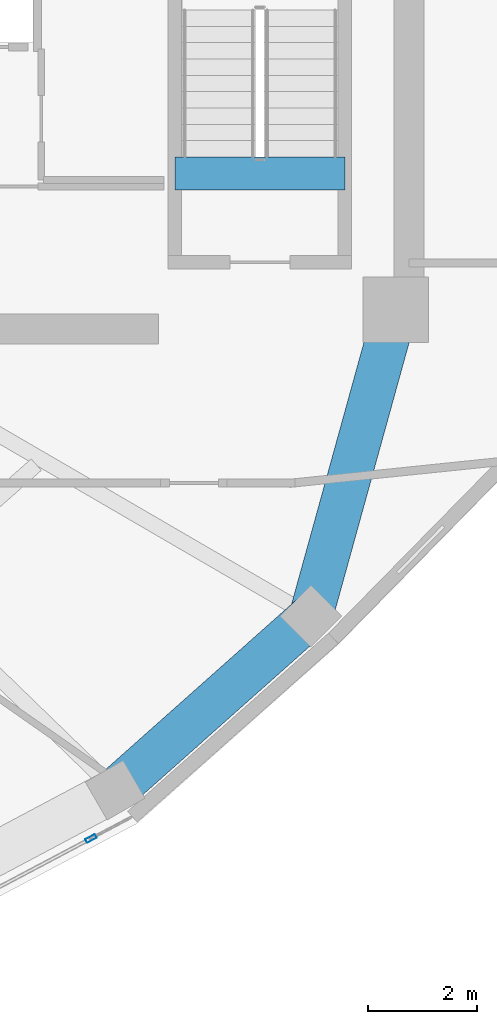
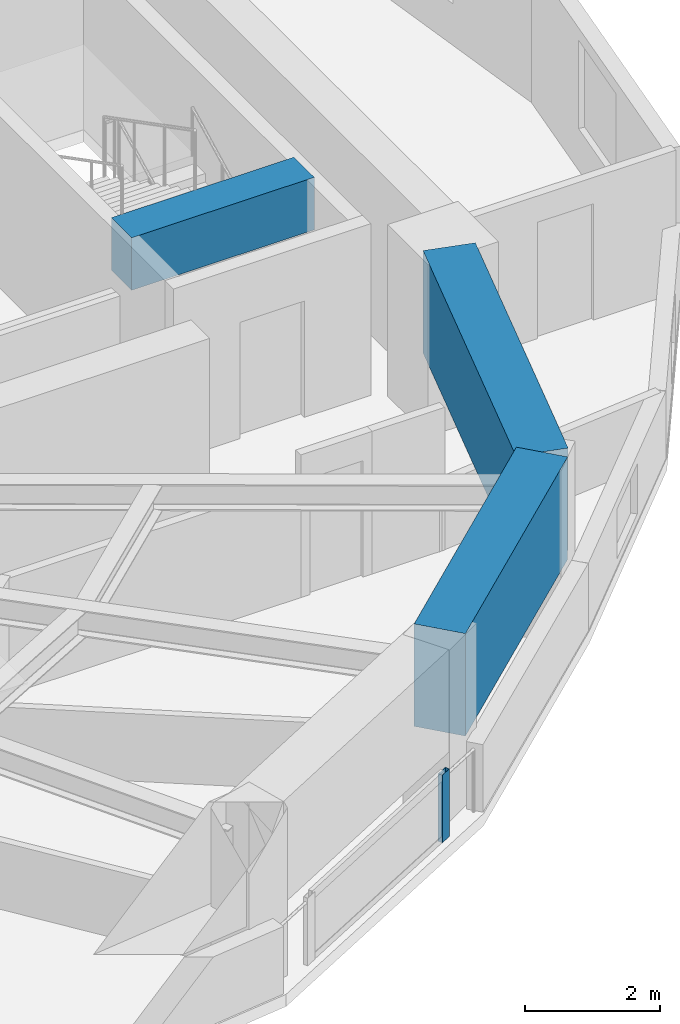
# One storey, part 6 of 17: 3 beams, 1 member, 1 element without a shape of its own.
"""IFC4 building model written with IfcOpenShell, lengths in metres."""

from ifc_helpers import new_model, si_unit, direction, frame, origin, origin_2d, place, context, subcontext, project, spatial, rectangle, hollow_rectangle, extrude, material, layer, layer_set, material_profile, profile_set, type_object, element, aggregate, save


model = new_model("IFC4")

# Units and contexts
model_context = context("Model", 3, precision=1e-05, world=origin(), true_north=direction((0.0, 1.0)))
body_context = subcontext(model_context, "Body", "Model", "MODEL_VIEW")
ifc_project = project(units=[si_unit("LENGTHUNIT", "METRE"), si_unit("AREAUNIT", "SQUARE_METRE"), si_unit("VOLUMEUNIT", "CUBIC_METRE"), si_unit("PLANEANGLEUNIT", "RADIAN"), si_unit("MASSUNIT", "GRAM", prefix="KILO")], contexts=[model_context])

# Site, building, storey
site_placement = place(None, origin())
site = spatial("IfcSite", under=ifc_project, at=site_placement, CompositionType="ELEMENT")
building_placement = place(site_placement, origin())
building = spatial("IfcBuilding", under=site, at=building_placement, Name="Solvane Sanctuary Tower", CompositionType="ELEMENT")
storey_placement = place(building_placement, frame((0.0, 0.0, 235.699951171875)))
storey = spatial("IfcBuildingStorey", under=building, at=storey_placement, Name="L72", CompositionType="ELEMENT", Elevation=235.699951171875)

# Beams
ifc_material_1 = material(Name="Concrete C70/85", Category="concrete")
ifc_material_profile_1 = material_profile(ifc_material_1, rectangle(XDim=0.60009765625, YDim=0.949951171875, at=origin_2d()), Name="RC600X950")
ifc_profile_set_1 = profile_set([ifc_material_profile_1], Name="Concrete C70/85")
beam_type_1 = type_object("IfcBeamType", Name="Beam B-COUPLE RC600X950", PredefinedType="LINTEL", material=ifc_profile_set_1)
beam_1_placement = place(storey_placement, frame((44.64990234375, 19.399169921875, 2.625), z_axis=(1.0, 0.0, 0.0), x_axis=(0.0, 1.0, 0.0)))
element("IfcBeam", 1, at=beam_1_placement, inside=storey, type_object=beam_type_1, Name="L72 ST-2 Stair Floor Landing Trimmer", PredefinedType="LINTEL", context=body_context, shape_type="SweptSolid", body=[
    extrude(rectangle(XDim=0.60009765625, YDim=0.949951171875, at=origin_2d()), origin(), (0.0, 0.0, 1.0), 3.1201171875),
])
ifc_material_profile_2 = material_profile(ifc_material_1, rectangle(XDim=0.800048828125, YDim=1.85009765625, at=origin_2d()), Name="RC800X1850")
ifc_profile_set_2 = profile_set([ifc_material_profile_2], Name="Concrete C70/85")
beam_type_2 = type_object("IfcBeamType", Name="Beam B-XFER-BLK RC800X1850", PredefinedType="BEAM", material=ifc_profile_set_2)
beam_2_placement = place(storey_placement, frame((43.55517578125, 8.086181640625, 2.175048828125), z_axis=(0.74721302735, 0.664584600904, 0.0), x_axis=(-0.664584600904, 0.74721302735, 0.0)))
element("IfcBeam", 2, at=beam_2_placement, inside=storey, type_object=beam_type_2, Name="L72 Perimeter Step Transfer Ring NTC13-NTC14", PredefinedType="BEAM", context=body_context, shape_type="SweptSolid", body=[
    extrude(rectangle(XDim=0.800048828125, YDim=1.85009765625, at=origin_2d()), origin(), (0.0, 0.0, 1.0), 4.80419921875),
])
beam_3_placement = place(storey_placement, frame((47.14501953125, 11.279052734375, 2.175048828125), z_axis=(0.266626617927, 0.963799899675, 0.0), x_axis=(-0.963799899675, 0.266626617927, 0.0)))
element("IfcBeam", 3, at=beam_3_placement, inside=storey, type_object=beam_type_2, Name="L72 Perimeter Step Transfer Ring NTC14-CE2", PredefinedType="BEAM", context=body_context, shape_type="SweptSolid", body=[
    extrude(rectangle(XDim=0.800048828125, YDim=1.85009765625, at=origin_2d()), origin(), (0.0, 0.0, 1.0), 5.471923828125),
])

# Curtain wall, member
ifc_material_2 = material(Name="Anodised Aluminium 6063-T6", Category="aluminium")
ifc_layer = layer(ifc_material_2, 0.18994140625, Name="Anodised Aluminium 6063-T6")
ifc_layer_set = layer_set([ifc_layer], Name="Anodised Aluminium 6063-T6")
curtain_wall_type = type_object("IfcCurtainWallType", Name="Curtain Wall CW-OPER", PredefinedType="NOTDEFINED", material=ifc_layer_set)
curtain_wall_placement = place(storey_placement, origin())
curtain_wall = element("IfcCurtainWall", 4, at=curtain_wall_placement, inside=storey, type_object=curtain_wall_type, Name="L72 CW-OPER Facade Run 19", PredefinedType="NOTDEFINED")
ifc_material_profile_3 = material_profile(ifc_material_2, hollow_rectangle(XDim=0.074951171875, YDim=0.199951171875, WallThickness=0.00390625, at=origin_2d()), Name="ALU200X75X4")
ifc_profile_set_3 = profile_set([ifc_material_profile_3], Name="Anodised Aluminium 6063-T6")
member_type = type_object("IfcMemberType", Name="Member M-CW-MUL-1 ALU200X75X4", PredefinedType="MULLION", material=ifc_profile_set_3)
member_placement = place(storey_placement, frame((43.112060546875, 7.199951171875, 0.0), z_axis=(0.0, 0.0, 1.0), x_axis=(-0.467523293544, 0.883980752049, 0.0)))
member = element("IfcMember", 5, at=member_placement, type_object=member_type, Name="CW-OPER mullion 2", PredefinedType="MULLION", context=body_context, shape_type="SweptSolid", body=[
    extrude(hollow_rectangle(XDim=0.074951171875, YDim=0.199951171875, WallThickness=0.00390625, at=origin_2d()), origin(), (0.0, 0.0, 1.0), 1.219970703125),
])
aggregate(curtain_wall, [member])

save(model, "model.ifc")
